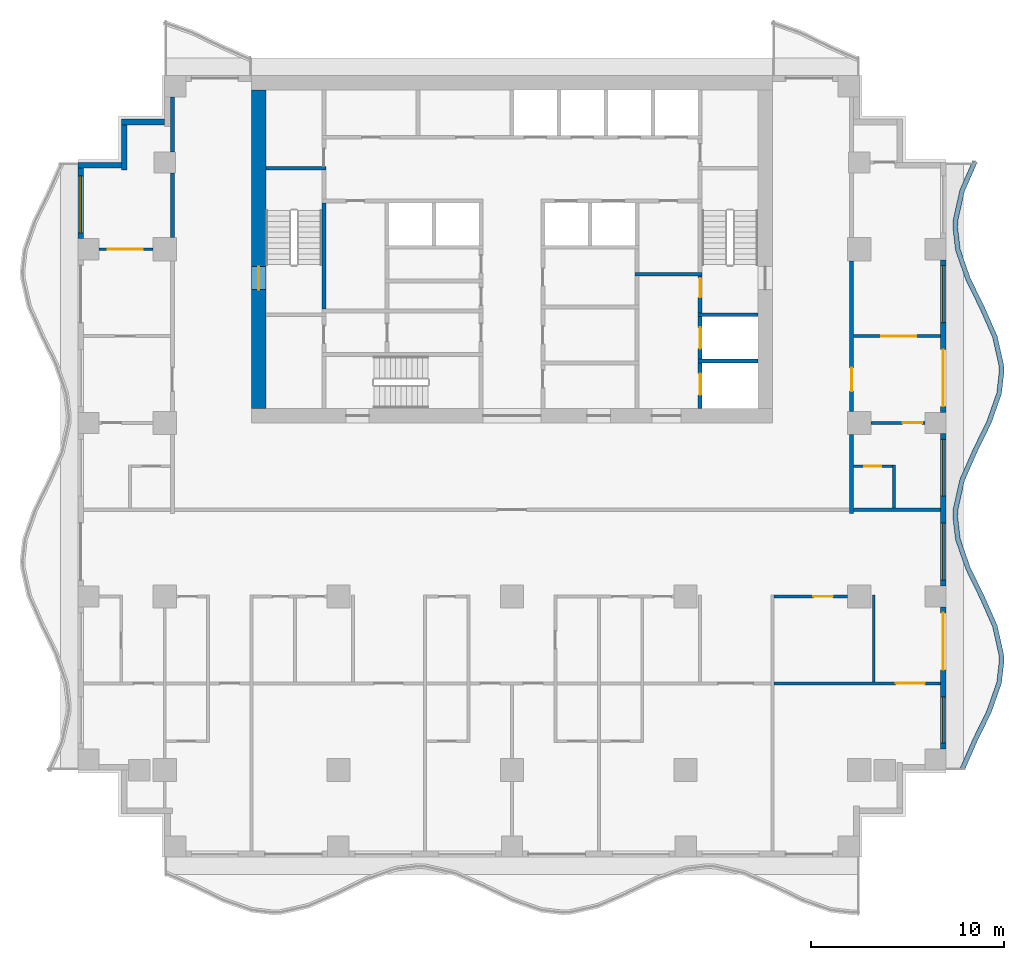
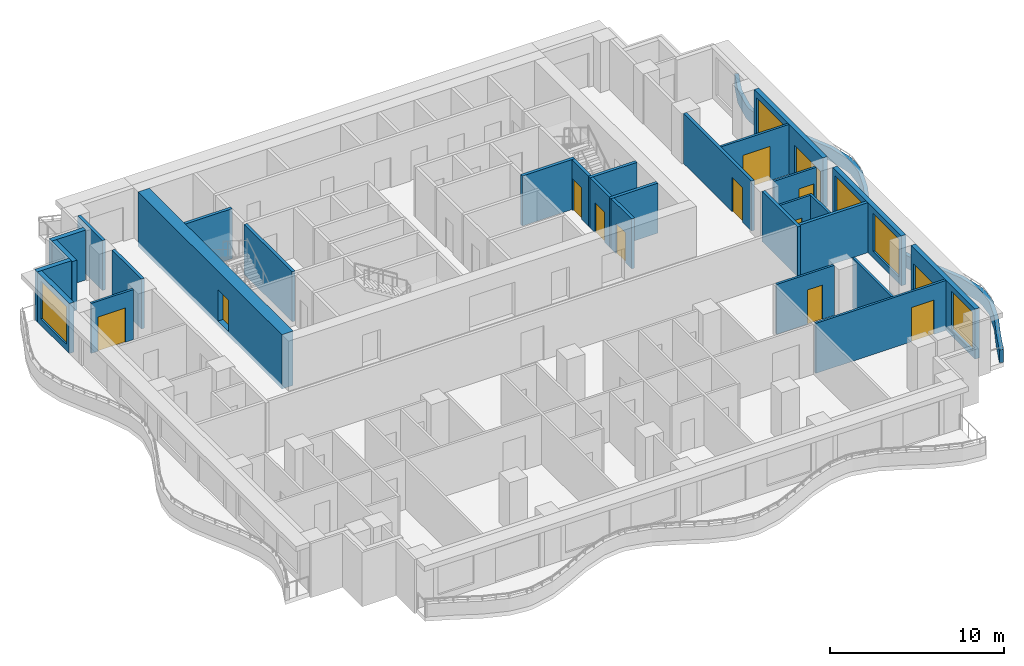
# One storey, part 4 of 10: 30 walls, 13 doors, 5 windows, 18 openings.
"""IFC4 building model written with IfcOpenShell, lengths in metres."""

from ifc_helpers import new_model, si_unit, direction, frame, frame_2d, origin, place, context, subcontext, project, spatial, polyline, rectangle, outline, extrude, material, layer, layer_set, type_object, element, fill, save


model = new_model("IFC4")

# Units and contexts
model_context = context("Model", 3, precision=1e-05, world=origin(), true_north=direction((0.0, 1.0)))
body_context = subcontext(model_context, "Body", "Model", "MODEL_VIEW")
ifc_project = project(units=[si_unit("LENGTHUNIT", "METRE"), si_unit("AREAUNIT", "SQUARE_METRE"), si_unit("VOLUMEUNIT", "CUBIC_METRE"), si_unit("PLANEANGLEUNIT", "RADIAN"), si_unit("MASSUNIT", "GRAM", prefix="KILO")], contexts=[model_context])

# Site, building, storey
site_placement = place(None, origin())
site = spatial("IfcSite", under=ifc_project, at=site_placement, CompositionType="ELEMENT")
building_placement = place(site_placement, origin())
building = spatial("IfcBuilding", under=site, at=building_placement, Name="Orbiselva Terraces", CompositionType="ELEMENT")
storey_placement = place(building_placement, frame((0.0, 0.0, 170.6)))
storey = spatial("IfcBuildingStorey", under=building, at=storey_placement, Name="L43", CompositionType="ELEMENT", Elevation=170.6)

# Wall, opening, door
ifc_material_1 = material(Name="Concrete C80/95", Category="concrete")
ifc_layer_1 = layer(ifc_material_1, 0.75)
ifc_layer_set_1 = layer_set([ifc_layer_1], Name="Concrete C80/95")
wall_type_1 = type_object("IfcWallType", Name="CORE WALL 750", PredefinedType="SHEAR", material=ifc_layer_set_1)
wall_1_placement = place(storey_placement, frame((-13.125, 21.75, -0.3), z_axis=(0.0, 0.0, 1.0), x_axis=(0.0, -1.0, 0.0)))
wall_1 = element("IfcWall", 1, at=wall_1_placement, inside=storey, type_object=wall_type_1, Name="Core wall L43 west", PredefinedType="SHEAR", context=body_context, shape_type="SweptSolid", body=[
    extrude(rectangle(XDim=16.5, YDim=0.75, at=frame_2d((8.25, 0.0))), origin(), (0.0, 0.0, 1.0), 3.8),
])
opening_1_placement = place(wall_1_placement, frame((9.15, 0.0, 0.3)))
opening_1 = element("IfcOpeningElement", 2, at=opening_1_placement, cuts=wall_1, Name="Opening DS1200", PredefinedType="OPENING", context=body_context, shape_type="SweptSolid", body=[
    extrude(rectangle(XDim=1.2, YDim=2.2, at=frame_2d((0.6, 1.1))), frame((0.0, 0.385, 0.0), z_axis=(0.0, -1.0, 0.0), x_axis=(1.0, 0.0, 0.0)), (0.0, 0.0, 1.0), 0.77),
])
ifc_material_2 = material(Name="Steel fire door", Category="steel")
door_type_1 = type_object("IfcDoorType", Name="STAIR DOOR 1200", OperationType="NOTDEFINED", PredefinedType="DOOR", material=ifc_material_2)
door_1_placement = place(opening_1_placement, frame((1.2, 0.0, 0.0), z_axis=(0.0, 0.0, 1.0), x_axis=(-1.0, 0.0, 0.0)))
door_1 = element("IfcDoor", 3, at=door_1_placement, inside=storey, type_object=door_type_1, Name="L43 EXIT STAIR S1 door", OperationType="SINGLE_SWING_RIGHT", OverallHeight=2.2, OverallWidth=1.2, PredefinedType="DOOR", context=body_context, shape_type="SweptSolid", body=[
    extrude(rectangle(XDim=1.2, YDim=2.2, at=frame_2d((0.6, 1.1))), frame((0.0, 0.025, 0.0), z_axis=(0.0, -1.0, 0.0), x_axis=(1.0, 0.0, 0.0)), (0.0, 0.0, 1.0), 0.05),
])
fill(opening_1, door_1)

# Walls
ifc_material_3 = material(Name="Concrete C60/75", Category="concrete")
ifc_layer_2 = layer(ifc_material_3, 0.2)
ifc_layer_set_2 = layer_set([ifc_layer_2], Name="Concrete C60/75")
wall_type_2 = type_object("IfcWallType", Name="CORE-WALL-SHEAR-200", PredefinedType="SHEAR", material=ifc_layer_set_2)
wall_2_placement = place(storey_placement, frame((-12.75, 17.7, 0.0), z_axis=(0.0, 0.0, 1.0), x_axis=(1.0, 0.0, 0.0)))
element("IfcWall", 4, at=wall_2_placement, inside=storey, type_object=wall_type_2, Name="L43 core wall 02", PredefinedType="SHEAR", context=body_context, shape_type="SweptSolid", body=[
    extrude(rectangle(XDim=3.1, YDim=0.2, at=frame_2d((1.55, 0.0))), origin(), (0.0, 0.0, 1.0), 3.5),
])
wall_3_placement = place(storey_placement, frame((-9.75, 10.4, 0.0), z_axis=(0.0, 0.0, 1.0), x_axis=(0.0, 1.0, 0.0)))
element("IfcWall", 5, at=wall_3_placement, inside=storey, type_object=wall_type_2, Name="L43 core wall 07", PredefinedType="SHEAR", context=body_context, shape_type="SweptSolid", body=[
    extrude(rectangle(XDim=5.5, YDim=0.2, at=frame_2d((2.75, 0.0))), origin(), (0.0, 0.0, 1.0), 3.5),
])
wall_4_placement = place(storey_placement, frame((6.375, 12.2, 0.0), z_axis=(0.0, 0.0, 1.0), x_axis=(1.0, 0.0, 0.0)))
element("IfcWall", 6, at=wall_4_placement, inside=storey, type_object=wall_type_2, Name="L43 core wall 41", PredefinedType="SHEAR", context=body_context, shape_type="SweptSolid", body=[
    extrude(rectangle(XDim=3.475, YDim=0.2, at=frame_2d((1.7375, 0.0))), origin(), (0.0, 0.0, 1.0), 3.5),
])

# Wall, opening, door
wall_5_placement = place(storey_placement, frame((9.75, 5.25, 0.0), z_axis=(0.0, 0.0, 1.0), x_axis=(0.0, 1.0, 0.0)))
wall_5 = element("IfcWall", 7, at=wall_5_placement, inside=storey, type_object=wall_type_2, Name="L43 core wall 45", PredefinedType="SHEAR", context=body_context, shape_type="SweptSolid", body=[
    extrude(rectangle(XDim=2.35, YDim=0.2, at=frame_2d((1.175, 0.0))), origin(), (0.0, 0.0, 1.0), 3.5),
])
opening_2_placement = place(wall_5_placement, frame((0.7, 0.0, 0.0)))
opening_2 = element("IfcOpeningElement", 8, at=opening_2_placement, cuts=wall_5, Name="Opening LD-FF1", PredefinedType="OPENING", context=body_context, shape_type="SweptSolid", body=[
    extrude(rectangle(XDim=1.1, YDim=2.1, at=frame_2d((0.55, 1.05))), frame((0.0, 0.11, 0.0), z_axis=(0.0, -1.0, 0.0), x_axis=(1.0, 0.0, 0.0)), (0.0, 0.0, 1.0), 0.22),
])
ifc_material_4 = material(Name="Stainless steel landing door", Category="steel")
door_type_2 = type_object("IfcDoorType", Name="LANDING DOOR 1100", OperationType="SLIDING_TO_LEFT", PredefinedType="DOOR", material=ifc_material_4)
door_2_placement = place(opening_2_placement, origin())
door_2 = element("IfcDoor", 9, at=door_2_placement, inside=storey, type_object=door_type_2, Name="L43 landing door FF1", OperationType="SLIDING_TO_RIGHT", OverallHeight=2.1, OverallWidth=1.1, PredefinedType="DOOR", context=body_context, shape_type="SweptSolid", body=[
    extrude(rectangle(XDim=1.1, YDim=2.1, at=frame_2d((0.55, 1.05))), frame((0.0, 0.025, 0.0), z_axis=(0.0, -1.0, 0.0), x_axis=(1.0, 0.0, 0.0)), (0.0, 0.0, 1.0), 0.05),
])
fill(opening_2, door_2)

# Wall
wall_6_placement = place(storey_placement, frame((9.65, 7.7, 0.0), z_axis=(0.0, 0.0, 1.0), x_axis=(1.0, 0.0, 0.0)))
element("IfcWall", 10, at=wall_6_placement, inside=storey, type_object=wall_type_2, Name="L43 core wall 46", PredefinedType="SHEAR", context=body_context, shape_type="SweptSolid", body=[
    extrude(rectangle(XDim=3.1, YDim=0.2, at=frame_2d((1.55, 0.0))), origin(), (0.0, 0.0, 1.0), 3.5),
])

# Wall, opening, door
wall_7_placement = place(storey_placement, frame((9.75, 7.8, 0.0), z_axis=(0.0, 0.0, 1.0), x_axis=(0.0, 1.0, 0.0)))
wall_7 = element("IfcWall", 11, at=wall_7_placement, inside=storey, type_object=wall_type_2, Name="L43 core wall 47", PredefinedType="SHEAR", context=body_context, shape_type="SweptSolid", body=[
    extrude(rectangle(XDim=2.2, YDim=0.2, at=frame_2d((1.1, 0.0))), origin(), (0.0, 0.0, 1.0), 3.5),
])
opening_3_placement = place(wall_7_placement, frame((0.55, 0.0, 0.0)))
opening_3 = element("IfcOpeningElement", 12, at=opening_3_placement, cuts=wall_7, Name="Opening LD-FF2", PredefinedType="OPENING", context=body_context, shape_type="SweptSolid", body=[
    extrude(rectangle(XDim=1.1, YDim=2.1, at=frame_2d((0.55, 1.05))), frame((0.0, 0.11, 0.0), z_axis=(0.0, -1.0, 0.0), x_axis=(1.0, 0.0, 0.0)), (0.0, 0.0, 1.0), 0.22),
])
door_3_placement = place(opening_3_placement, origin())
door_3 = element("IfcDoor", 13, at=door_3_placement, inside=storey, type_object=door_type_2, Name="L43 landing door FF2", OperationType="SLIDING_TO_RIGHT", OverallHeight=2.1, OverallWidth=1.1, PredefinedType="DOOR", context=body_context, shape_type="SweptSolid", body=[
    extrude(rectangle(XDim=1.1, YDim=2.1, at=frame_2d((0.55, 1.05))), frame((0.0, 0.025, 0.0), z_axis=(0.0, -1.0, 0.0), x_axis=(1.0, 0.0, 0.0)), (0.0, 0.0, 1.0), 0.05),
])
fill(opening_3, door_3)

# Wall
wall_8_placement = place(storey_placement, frame((9.65, 10.1, 0.0), z_axis=(0.0, 0.0, 1.0), x_axis=(1.0, 0.0, 0.0)))
element("IfcWall", 14, at=wall_8_placement, inside=storey, type_object=wall_type_2, Name="L43 core wall 48", PredefinedType="SHEAR", context=body_context, shape_type="SweptSolid", body=[
    extrude(rectangle(XDim=3.1, YDim=0.2, at=frame_2d((1.55, 0.0))), origin(), (0.0, 0.0, 1.0), 3.5),
])

# Wall, opening, door
wall_9_placement = place(storey_placement, frame((9.75, 12.1, 0.0), z_axis=(0.0, 0.0, 1.0), x_axis=(0.0, -1.0, 0.0)))
wall_9 = element("IfcWall", 15, at=wall_9_placement, inside=storey, type_object=wall_type_2, Name="L43 core wall 49", PredefinedType="SHEAR", context=body_context, shape_type="SweptSolid", body=[
    extrude(rectangle(XDim=1.9, YDim=0.2, at=frame_2d((0.95, 0.0))), origin(), (0.0, 0.0, 1.0), 3.5),
])
opening_4_placement = place(wall_9_placement, frame((0.1, 0.0, 0.0)))
opening_4 = element("IfcOpeningElement", 16, at=opening_4_placement, cuts=wall_9, Name="Opening DS1000", PredefinedType="OPENING", context=body_context, shape_type="SweptSolid", body=[
    extrude(rectangle(XDim=1.0, YDim=2.2, at=frame_2d((0.5, 1.1))), frame((0.0, 0.11, 0.0), z_axis=(0.0, -1.0, 0.0), x_axis=(1.0, 0.0, 0.0)), (0.0, 0.0, 1.0), 0.22),
])
door_type_3 = type_object("IfcDoorType", Name="STAIR DOOR 1000", OperationType="NOTDEFINED", PredefinedType="DOOR", material=ifc_material_2)
door_4_placement = place(opening_4_placement, origin())
door_4 = element("IfcDoor", 17, at=door_4_placement, inside=storey, type_object=door_type_3, Name="L43 FIRE-FIGHTING LOBBY TO EXIT STAIR S2 door", OperationType="SINGLE_SWING_LEFT", OverallHeight=2.2, OverallWidth=1.0, PredefinedType="DOOR", context=body_context, shape_type="SweptSolid", body=[
    extrude(rectangle(XDim=1.0, YDim=2.2, at=frame_2d((0.5, 1.1))), frame((0.0, 0.025, 0.0), z_axis=(0.0, -1.0, 0.0), x_axis=(1.0, 0.0, 0.0)), (0.0, 0.0, 1.0), 0.05),
])
fill(opening_4, door_4)

# Wall
ifc_material_5 = material(Name="Concrete C40/50", Category="concrete")
ifc_layer_3 = layer(ifc_material_5, 0.25)
ifc_layer_set_3 = layer_set([ifc_layer_3], Name="Concrete C40/50")
wall_type_3 = type_object("IfcWallType", Name="ENV-PLANTER-250x900", PredefinedType="USERDEFINED", material=ifc_layer_set_3)
wall_10_placement = place(storey_placement, origin())
element("IfcWall", 18, at=wall_10_placement, inside=storey, type_object=wall_type_3, Name="Balcony planter L43 E", ObjectType="PLANTER", PredefinedType="USERDEFINED", context=body_context, shape_type="SweptSolid", body=[
    extrude(outline(polyline([(23.451472, -13.5), (24.112279, -12.0), (24.844789, -10.5), (25.369208, -9.0), (25.5, -7.875), (25.485226, -7.5), (25.148528, -6.0), (24.487721, -4.5), (23.755211, -3.0), (23.230792, -1.5), (23.1, -0.375), (23.114774, 0.0), (23.451472, 1.5), (24.112279, 3.0), (24.844789, 4.5), (25.369208, 6.0), (25.5, 7.125), (25.485226, 7.5), (25.148528, 9.0), (24.487721, 10.5), (23.755211, 12.0), (23.230792, 13.5), (23.1, 14.625), (23.114774, 15.0), (23.451472, 16.5), (24.112279, 18.0), (23.883496, 18.100788), (23.212874, 16.578508), (22.865863, 15.032565), (22.849429, 14.615428), (22.985662, 13.443629), (23.524089, 11.90356), (24.260919, 10.394714), (24.90993, 8.921492), (25.236315, 7.467435), (25.249429, 7.134572), (25.124078, 6.056371), (24.613667, 4.59644), (23.885477, 3.105286), (23.212874, 1.578508), (22.865863, 0.032565), (22.849429, -0.384572), (22.985662, -1.556371), (23.524089, -3.09644), (24.260919, -4.605286), (24.90993, -6.078508), (25.236315, -7.532565), (25.249429, -7.865428), (25.124078, -8.943629), (24.613667, -10.40356), (23.885477, -11.894714), (23.222689, -13.399212), (23.451472, -13.5)])), origin(), (0.0, 0.0, 1.0), 0.9),
])

# Wall, openings, door, window
ifc_material_6 = material(Name="Terracotta cladding on masonry backing", Category="masonry")
ifc_layer_4 = layer(ifc_material_6, 0.3)
ifc_layer_set_4 = layer_set([ifc_layer_4], Name="Terracotta cladding on masonry backing")
wall_type_4 = type_object("IfcWallType", Name="ENV-WALL-TERRACOTTA-300", PredefinedType="SOLIDWALL", material=ifc_layer_set_4)
wall_11_placement = place(storey_placement, frame((22.35, -5.05, 0.0), z_axis=(0.0, 0.0, 1.0), x_axis=(0.0, -1.0, 0.0)))
wall_11 = element("IfcWall", 19, at=wall_11_placement, inside=storey, type_object=wall_type_4, Name="Facade wall L43 E", PredefinedType="SOLIDWALL", context=body_context, shape_type="SweptSolid", body=[
    extrude(rectangle(XDim=7.35, YDim=0.3, at=frame_2d((3.675, 0.0))), origin(), (0.0, 0.0, 1.0), 3.5),
])
opening_5_placement = place(wall_11_placement, frame((4.65, 0.0, 0.45)))
opening_5 = element("IfcOpeningElement", 20, at=opening_5_placement, cuts=wall_11, Name="Opening WN11", PredefinedType="OPENING", context=body_context, shape_type="SweptSolid", body=[
    extrude(rectangle(XDim=2.4, YDim=2.65, at=frame_2d((1.2, 1.325))), frame((0.0, 0.16, 0.0), z_axis=(0.0, -1.0, 0.0), x_axis=(1.0, 0.0, 0.0)), (0.0, 0.0, 1.0), 0.32),
])
opening_6_placement = place(wall_11_placement, frame((0.3, 0.0, 0.0)))
opening_6 = element("IfcOpeningElement", 21, at=opening_6_placement, cuts=wall_11, Name="Opening Z3-E-E04", PredefinedType="OPENING", context=body_context, shape_type="SweptSolid", body=[
    extrude(rectangle(XDim=2.95, YDim=2.4, at=frame_2d((1.475, 1.2))), frame((0.0, 0.16, 0.0), z_axis=(0.0, -1.0, 0.0), x_axis=(1.0, 0.0, 0.0)), (0.0, 0.0, 1.0), 0.32),
])
ifc_material_7 = material(Name="Clear low-e glazing in aluminium frame", Category="aluminium")
door_type_4 = type_object("IfcDoorType", Name="BALCONY DOOR 2950 X 2400", OperationType="DOUBLE_DOOR_SLIDING", PredefinedType="DOOR", material=ifc_material_7)
door_5_placement = place(opening_6_placement, origin())
door_5 = element("IfcDoor", 22, at=door_5_placement, inside=storey, type_object=door_type_4, Name="Z3-E-E04", OperationType="SINGLE_SWING_LEFT", OverallHeight=2.4, OverallWidth=2.95, PredefinedType="DOOR", context=body_context, shape_type="SweptSolid", body=[
    extrude(rectangle(XDim=2.95, YDim=2.4, at=frame_2d((1.475, 1.2))), frame((0.0, 0.025, 0.0), z_axis=(0.0, -1.0, 0.0), x_axis=(1.0, 0.0, 0.0)), (0.0, 0.0, 1.0), 0.05),
])
fill(opening_6, door_5)
window_type_1 = type_object("IfcWindowType", Name="WINDOW 2400 X 2650 S450", PartitioningType="TRIPLE_PANEL_VERTICAL", PredefinedType="WINDOW", material=ifc_material_7)
window_1_placement = place(opening_5_placement, origin())
window_1 = element("IfcWindow", 23, at=window_1_placement, inside=storey, type_object=window_type_1, Name="Window L43 E", OverallHeight=2.65, OverallWidth=2.4, PartitioningType="SINGLE_PANEL", PredefinedType="WINDOW", context=body_context, shape_type="SweptSolid", body=[
    extrude(rectangle(XDim=2.4, YDim=2.65, at=frame_2d((1.2, 1.325))), frame((0.0, 0.03, 0.0), z_axis=(0.0, -1.0, 0.0), x_axis=(1.0, 0.0, 0.0)), (0.0, 0.0, 1.0), 0.06),
])
fill(opening_5, window_1)

# Wall, openings, windows
wall_12_placement = place(storey_placement, frame((22.35, 3.95, 0.0), z_axis=(0.0, 0.0, 1.0), x_axis=(0.0, -1.0, 0.0)))
wall_12 = element("IfcWall", 24, at=wall_12_placement, inside=storey, type_object=wall_type_4, Name="Facade wall L43 E", PredefinedType="SOLIDWALL", context=body_context, shape_type="SweptSolid", body=[
    extrude(rectangle(XDim=7.9, YDim=0.3, at=frame_2d((3.95, 0.0))), origin(), (0.0, 0.0, 1.0), 3.5),
])
opening_7_placement = place(wall_12_placement, frame((4.65, 0.0, 0.45)))
opening_7 = element("IfcOpeningElement", 25, at=opening_7_placement, cuts=wall_12, Name="Opening WN12", PredefinedType="OPENING", context=body_context, shape_type="SweptSolid", body=[
    extrude(rectangle(XDim=2.95, YDim=2.65, at=frame_2d((1.475, 1.325))), frame((0.0, 0.16, 0.0), z_axis=(0.0, -1.0, 0.0), x_axis=(1.0, 0.0, 0.0)), (0.0, 0.0, 1.0), 0.32),
])
opening_8_placement = place(wall_12_placement, frame((0.3, 0.0, 0.45)))
opening_8 = element("IfcOpeningElement", 26, at=opening_8_placement, cuts=wall_12, Name="Opening WN12", PredefinedType="OPENING", context=body_context, shape_type="SweptSolid", body=[
    extrude(rectangle(XDim=2.95, YDim=2.65, at=frame_2d((1.475, 1.325))), frame((0.0, 0.16, 0.0), z_axis=(0.0, -1.0, 0.0), x_axis=(1.0, 0.0, 0.0)), (0.0, 0.0, 1.0), 0.32),
])
window_type_2 = type_object("IfcWindowType", Name="WINDOW 2950 X 2650 S450", PartitioningType="TRIPLE_PANEL_VERTICAL", PredefinedType="WINDOW", material=ifc_material_7)
window_2_placement = place(opening_7_placement, origin())
window_2 = element("IfcWindow", 27, at=window_2_placement, inside=storey, type_object=window_type_2, Name="Window L43 E", OverallHeight=2.65, OverallWidth=2.95, PartitioningType="SINGLE_PANEL", PredefinedType="WINDOW", context=body_context, shape_type="SweptSolid", body=[
    extrude(rectangle(XDim=2.95, YDim=2.65, at=frame_2d((1.475, 1.325))), frame((0.0, 0.03, 0.0), z_axis=(0.0, -1.0, 0.0), x_axis=(1.0, 0.0, 0.0)), (0.0, 0.0, 1.0), 0.06),
])
fill(opening_7, window_2)
window_3_placement = place(opening_8_placement, origin())
window_3 = element("IfcWindow", 28, at=window_3_placement, inside=storey, type_object=window_type_2, Name="Window L43 E", OverallHeight=2.65, OverallWidth=2.95, PartitioningType="SINGLE_PANEL", PredefinedType="WINDOW", context=body_context, shape_type="SweptSolid", body=[
    extrude(rectangle(XDim=2.95, YDim=2.65, at=frame_2d((1.475, 1.325))), frame((0.0, 0.03, 0.0), z_axis=(0.0, -1.0, 0.0), x_axis=(1.0, 0.0, 0.0)), (0.0, 0.0, 1.0), 0.06),
])
fill(opening_8, window_3)

# Wall, openings, door, window
wall_13_placement = place(storey_placement, frame((22.35, 12.95, 0.0), z_axis=(0.0, 0.0, 1.0), x_axis=(0.0, -1.0, 0.0)))
wall_13 = element("IfcWall", 29, at=wall_13_placement, inside=storey, type_object=wall_type_4, Name="Facade wall L43 E", PredefinedType="SOLIDWALL", context=body_context, shape_type="SweptSolid", body=[
    extrude(rectangle(XDim=7.9, YDim=0.3, at=frame_2d((3.95, 0.0))), origin(), (0.0, 0.0, 1.0), 3.5),
])
opening_9_placement = place(wall_13_placement, frame((4.65, 0.0, 0.0)))
opening_9 = element("IfcOpeningElement", 30, at=opening_9_placement, cuts=wall_13, Name="Opening Z3-E-E05", PredefinedType="OPENING", context=body_context, shape_type="SweptSolid", body=[
    extrude(rectangle(XDim=2.95, YDim=2.4, at=frame_2d((1.475, 1.2))), frame((0.0, 0.16, 0.0), z_axis=(0.0, -1.0, 0.0), x_axis=(1.0, 0.0, 0.0)), (0.0, 0.0, 1.0), 0.32),
])
opening_10_placement = place(wall_13_placement, frame((0.3, 0.0, 0.45)))
opening_10 = element("IfcOpeningElement", 31, at=opening_10_placement, cuts=wall_13, Name="Opening WN12", PredefinedType="OPENING", context=body_context, shape_type="SweptSolid", body=[
    extrude(rectangle(XDim=2.95, YDim=2.65, at=frame_2d((1.475, 1.325))), frame((0.0, 0.16, 0.0), z_axis=(0.0, -1.0, 0.0), x_axis=(1.0, 0.0, 0.0)), (0.0, 0.0, 1.0), 0.32),
])
door_6_placement = place(opening_9_placement, origin())
door_6 = element("IfcDoor", 32, at=door_6_placement, inside=storey, type_object=door_type_4, Name="Z3-E-E05", OperationType="SINGLE_SWING_LEFT", OverallHeight=2.4, OverallWidth=2.95, PredefinedType="DOOR", context=body_context, shape_type="SweptSolid", body=[
    extrude(rectangle(XDim=2.95, YDim=2.4, at=frame_2d((1.475, 1.2))), frame((0.0, 0.025, 0.0), z_axis=(0.0, -1.0, 0.0), x_axis=(1.0, 0.0, 0.0)), (0.0, 0.0, 1.0), 0.05),
])
fill(opening_9, door_6)
window_4_placement = place(opening_10_placement, origin())
window_4 = element("IfcWindow", 33, at=window_4_placement, inside=storey, type_object=window_type_2, Name="Window L43 E", OverallHeight=2.65, OverallWidth=2.95, PartitioningType="SINGLE_PANEL", PredefinedType="WINDOW", context=body_context, shape_type="SweptSolid", body=[
    extrude(rectangle(XDim=2.95, YDim=2.65, at=frame_2d((1.475, 1.325))), frame((0.0, 0.03, 0.0), z_axis=(0.0, -1.0, 0.0), x_axis=(1.0, 0.0, 0.0)), (0.0, 0.0, 1.0), 0.06),
])
fill(opening_10, window_4)

# Walls
wall_14_placement = place(storey_placement, frame((-20.25, 20.1, 0.0), z_axis=(0.0, 0.0, 1.0), x_axis=(1.0, 0.0, 0.0)))
element("IfcWall", 34, at=wall_14_placement, inside=storey, type_object=wall_type_4, Name="Facade wall L43 STEP", PredefinedType="SOLIDWALL", context=body_context, shape_type="SweptSolid", body=[
    extrude(rectangle(XDim=2.25, YDim=0.3, at=frame_2d((1.125, 0.0))), origin(), (0.0, 0.0, 1.0), 3.5),
])
wall_15_placement = place(storey_placement, frame((-20.1, 17.6, 0.0), z_axis=(0.0, 0.0, 1.0), x_axis=(0.0, 1.0, 0.0)))
element("IfcWall", 35, at=wall_15_placement, inside=storey, type_object=wall_type_4, Name="Facade wall L43 STEP", PredefinedType="SOLIDWALL", context=body_context, shape_type="SweptSolid", body=[
    extrude(rectangle(XDim=2.35, YDim=0.3, at=frame_2d((1.175, 0.0))), origin(), (0.0, 0.0, 1.0), 3.5),
])
wall_16_placement = place(storey_placement, frame((-22.5, 17.85, 0.0), z_axis=(0.0, 0.0, 1.0), x_axis=(1.0, 0.0, 0.0)))
element("IfcWall", 36, at=wall_16_placement, inside=storey, type_object=wall_type_4, Name="Facade wall L43 STEP", PredefinedType="SOLIDWALL", context=body_context, shape_type="SweptSolid", body=[
    extrude(rectangle(XDim=2.25, YDim=0.3, at=frame_2d((1.125, 0.0))), origin(), (0.0, 0.0, 1.0), 3.5),
])

# Wall, opening, window
wall_17_placement = place(storey_placement, frame((-22.35, 14.05, 0.0), z_axis=(0.0, 0.0, 1.0), x_axis=(0.0, 1.0, 0.0)))
wall_17 = element("IfcWall", 37, at=wall_17_placement, inside=storey, type_object=wall_type_4, Name="Facade wall L43 W", PredefinedType="SOLIDWALL", context=body_context, shape_type="SweptSolid", body=[
    extrude(rectangle(XDim=3.65, YDim=0.3, at=frame_2d((1.825, 0.0))), origin(), (0.0, 0.0, 1.0), 3.5),
])
opening_11_placement = place(wall_17_placement, frame((0.3, 0.0, 0.45)))
opening_11 = element("IfcOpeningElement", 38, at=opening_11_placement, cuts=wall_17, Name="Opening WN12", PredefinedType="OPENING", context=body_context, shape_type="SweptSolid", body=[
    extrude(rectangle(XDim=2.95, YDim=2.65, at=frame_2d((1.475, 1.325))), frame((0.0, 0.16, 0.0), z_axis=(0.0, -1.0, 0.0), x_axis=(1.0, 0.0, 0.0)), (0.0, 0.0, 1.0), 0.32),
])
window_5_placement = place(opening_11_placement, origin())
window_5 = element("IfcWindow", 39, at=window_5_placement, inside=storey, type_object=window_type_2, Name="Window L43 W", OverallHeight=2.65, OverallWidth=2.95, PartitioningType="SINGLE_PANEL", PredefinedType="WINDOW", context=body_context, shape_type="SweptSolid", body=[
    extrude(rectangle(XDim=2.95, YDim=2.65, at=frame_2d((1.475, 1.325))), frame((0.0, 0.03, 0.0), z_axis=(0.0, -1.0, 0.0), x_axis=(1.0, 0.0, 0.0)), (0.0, 0.0, 1.0), 0.06),
])
fill(opening_11, window_5)

# Walls
ifc_material_8 = material(Name="Plasterboard on steel stud partition", Category="steel")
ifc_layer_5 = layer(ifc_material_8, 0.2)
ifc_layer_set_5 = layer_set([ifc_layer_5], Name="Plasterboard on steel stud partition")
wall_type_5 = type_object("IfcWallType", Name="UNIT-ENTRANCE-WALL-200", PredefinedType="PARTITIONING", material=ifc_layer_set_5)
wall_18_placement = place(storey_placement, frame((-17.6, 14.1, 0.0), z_axis=(0.0, 0.0, 1.0), x_axis=(0.0, 1.0, 0.0)))
element("IfcWall", 40, at=wall_18_placement, inside=storey, type_object=wall_type_5, Name="PARTITION L43-038", PredefinedType="PARTITIONING", context=body_context, shape_type="SweptSolid", body=[
    extrude(rectangle(XDim=3.35, YDim=0.2, at=frame_2d((1.675, 0.0))), origin(), (0.0, 0.0, 1.0), 3.5),
])
wall_19_placement = place(storey_placement, frame((-17.6, 18.55, 0.0), z_axis=(0.0, 0.0, 1.0), x_axis=(0.0, 1.0, 0.0)))
element("IfcWall", 41, at=wall_19_placement, inside=storey, type_object=wall_type_5, Name="PARTITION L43-039", PredefinedType="PARTITIONING", context=body_context, shape_type="SweptSolid", body=[
    extrude(rectangle(XDim=2.85, YDim=0.2, at=frame_2d((1.425, 0.0))), origin(), (0.0, 0.0, 1.0), 3.5),
])
wall_20_placement = place(storey_placement, frame((17.6, -0.2, 0.0), z_axis=(0.0, 0.0, 1.0), x_axis=(0.0, 1.0, 0.0)))
element("IfcWall", 42, at=wall_20_placement, inside=storey, type_object=wall_type_5, Name="PARTITION L43-053", PredefinedType="PARTITIONING", context=body_context, shape_type="SweptSolid", body=[
    extrude(rectangle(XDim=4.1, YDim=0.2, at=frame_2d((2.05, 0.0))), origin(), (0.0, 0.0, 1.0), 3.5),
])

# Wall, opening, door
wall_21_placement = place(storey_placement, frame((17.6, 12.9, 0.0), z_axis=(0.0, 0.0, 1.0), x_axis=(0.0, -1.0, 0.0)))
wall_21 = element("IfcWall", 43, at=wall_21_placement, inside=storey, type_object=wall_type_5, Name="PARTITION L43-054", PredefinedType="PARTITIONING", context=body_context, shape_type="SweptSolid", body=[
    extrude(rectangle(XDim=7.8, YDim=0.2, at=frame_2d((3.9, 0.0))), origin(), (0.0, 0.0, 1.0), 3.5),
])
opening_12_placement = place(wall_21_placement, frame((5.55, 0.0, 0.0)))
opening_12 = element("IfcOpeningElement", 44, at=opening_12_placement, cuts=wall_21, Name="Opening Z3-E-08", PredefinedType="OPENING", context=body_context, shape_type="SweptSolid", body=[
    extrude(rectangle(XDim=1.2, YDim=2.4, at=frame_2d((0.6, 1.2))), frame((0.0, 0.11, 0.0), z_axis=(0.0, -1.0, 0.0), x_axis=(1.0, 0.0, 0.0)), (0.0, 0.0, 1.0), 0.22),
])
ifc_material_9 = material(Name="Painted timber door leaf", Category="wood")
door_type_5 = type_object("IfcDoorType", Name="ENTRANCE DOOR 1200", OperationType="NOTDEFINED", PredefinedType="DOOR", material=ifc_material_9)
door_7_placement = place(opening_12_placement, origin())
door_7 = element("IfcDoor", 45, at=door_7_placement, inside=storey, type_object=door_type_5, Name="Z3-E-08", OperationType="SINGLE_SWING_RIGHT", OverallHeight=2.4, OverallWidth=1.2, PredefinedType="DOOR", context=body_context, shape_type="SweptSolid", body=[
    extrude(rectangle(XDim=1.2, YDim=2.4, at=frame_2d((0.6, 1.2))), frame((0.0, 0.025, 0.0), z_axis=(0.0, -1.0, 0.0), x_axis=(1.0, 0.0, 0.0)), (0.0, 0.0, 1.0), 0.05),
])
fill(opening_12, door_7)

ifc_layer_6 = layer(ifc_material_8, 0.15)
ifc_layer_set_6 = layer_set([ifc_layer_6], Name="Plasterboard on steel stud partition")
wall_type_6 = type_object("IfcWallType", Name="UNIT-PARTITION-150", PredefinedType="PARTITIONING", material=ifc_layer_set_6)
wall_22_placement = place(storey_placement, frame((22.2, -9.0, 0.0), z_axis=(0.0, 0.0, 1.0), x_axis=(-1.0, 0.0, 0.0)))
wall_22 = element("IfcWall", 46, at=wall_22_placement, inside=storey, type_object=wall_type_6, Name="PARTITION L43-014", PredefinedType="PARTITIONING", context=body_context, shape_type="SweptSolid", body=[
    extrude(rectangle(XDim=8.625, YDim=0.15, at=frame_2d((4.3125, 0.0))), origin(), (0.0, 0.0, 1.0), 3.5),
])
opening_13_placement = place(wall_22_placement, frame((0.8, 0.0, 0.0)))
opening_13 = element("IfcOpeningElement", 47, at=opening_13_placement, cuts=wall_22, Name="Opening Z3-E-21", PredefinedType="OPENING", context=body_context, shape_type="SweptSolid", body=[
    extrude(rectangle(XDim=1.5, YDim=2.4, at=frame_2d((0.75, 1.2))), frame((0.0, 0.085, 0.0), z_axis=(0.0, -1.0, 0.0), x_axis=(1.0, 0.0, 0.0)), (0.0, 0.0, 1.0), 0.17),
])
door_type_6 = type_object("IfcDoorType", Name="DOUBLE DOOR 1500", OperationType="NOTDEFINED", PredefinedType="DOOR", material=ifc_material_9)
door_8_placement = place(opening_13_placement, origin())
door_8 = element("IfcDoor", 48, at=door_8_placement, inside=storey, type_object=door_type_6, Name="Z3-E-21", OperationType="DOUBLE_DOOR_SINGLE_SWING", OverallHeight=2.4, OverallWidth=1.5, PredefinedType="DOOR", context=body_context, shape_type="SweptSolid", body=[
    extrude(rectangle(XDim=1.5, YDim=2.4, at=frame_2d((0.75, 1.2))), frame((0.0, 0.025, 0.0), z_axis=(0.0, -1.0, 0.0), x_axis=(1.0, 0.0, 0.0)), (0.0, 0.0, 1.0), 0.05),
])
fill(opening_13, door_8)

wall_23_placement = place(storey_placement, frame((17.4, -4.5, 0.0), z_axis=(0.0, 0.0, 1.0), x_axis=(-1.0, 0.0, 0.0)))
wall_23 = element("IfcWall", 49, at=wall_23_placement, inside=storey, type_object=wall_type_6, Name="PARTITION L43-020", PredefinedType="PARTITIONING", context=body_context, shape_type="SweptSolid", body=[
    extrude(rectangle(XDim=3.825, YDim=0.15, at=frame_2d((1.9125, 0.0))), origin(), (0.0, 0.0, 1.0), 3.5),
])
opening_14_placement = place(wall_23_placement, frame((0.775, 0.0, 0.0)))
opening_14 = element("IfcOpeningElement", 50, at=opening_14_placement, cuts=wall_23, Name="Opening Z3-E-12", PredefinedType="OPENING", context=body_context, shape_type="SweptSolid", body=[
    extrude(rectangle(XDim=1.0, YDim=2.4, at=frame_2d((0.5, 1.2))), frame((0.0, 0.085, 0.0), z_axis=(0.0, -1.0, 0.0), x_axis=(1.0, 0.0, 0.0)), (0.0, 0.0, 1.0), 0.17),
])
door_type_7 = type_object("IfcDoorType", Name="ROOM DOOR 1000", OperationType="NOTDEFINED", PredefinedType="DOOR", material=ifc_material_9)
door_9_placement = place(opening_14_placement, origin())
door_9 = element("IfcDoor", 51, at=door_9_placement, inside=storey, type_object=door_type_7, Name="Z3-E-12", OperationType="SINGLE_SWING_LEFT", OverallHeight=2.4, OverallWidth=1.0, PredefinedType="DOOR", context=body_context, shape_type="SweptSolid", body=[
    extrude(rectangle(XDim=1.0, YDim=2.4, at=frame_2d((0.5, 1.2))), frame((0.0, 0.025, 0.0), z_axis=(0.0, -1.0, 0.0), x_axis=(1.0, 0.0, 0.0)), (0.0, 0.0, 1.0), 0.05),
])
fill(opening_14, door_9)

wall_24_placement = place(storey_placement, frame((19.73, 2.25, 0.0), z_axis=(0.0, 0.0, 1.0), x_axis=(-1.0, 0.0, 0.0)))
wall_24 = element("IfcWall", 52, at=wall_24_placement, inside=storey, type_object=wall_type_6, Name="PARTITION L43-025", PredefinedType="PARTITIONING", context=body_context, shape_type="SweptSolid", body=[
    extrude(rectangle(XDim=2.03, YDim=0.15, at=frame_2d((1.015, 0.0))), origin(), (0.0, 0.0, 1.0), 3.5),
])
opening_15_placement = place(wall_24_placement, frame((0.58, 0.0, 0.0)))
opening_15 = element("IfcOpeningElement", 53, at=opening_15_placement, cuts=wall_24, Name="Opening Z3-E-07", PredefinedType="OPENING", context=body_context, shape_type="SweptSolid", body=[
    extrude(rectangle(XDim=0.9, YDim=2.1, at=frame_2d((0.45, 1.05))), frame((0.0, 0.085, 0.0), z_axis=(0.0, -1.0, 0.0), x_axis=(1.0, 0.0, 0.0)), (0.0, 0.0, 1.0), 0.17),
])
door_type_8 = type_object("IfcDoorType", Name="BATH DOOR 900", OperationType="NOTDEFINED", PredefinedType="DOOR", material=ifc_material_9)
door_10_placement = place(opening_15_placement, origin())
door_10 = element("IfcDoor", 54, at=door_10_placement, inside=storey, type_object=door_type_8, Name="Z3-E-07", OperationType="SINGLE_SWING_RIGHT", OverallHeight=2.1, OverallWidth=0.9, PredefinedType="DOOR", context=body_context, shape_type="SweptSolid", body=[
    extrude(rectangle(XDim=0.9, YDim=2.1, at=frame_2d((0.45, 1.05))), frame((0.0, 0.025, 0.0), z_axis=(0.0, -1.0, 0.0), x_axis=(1.0, 0.0, 0.0)), (0.0, 0.0, 1.0), 0.05),
])
fill(opening_15, door_10)

wall_25_placement = place(storey_placement, frame((21.4, 4.5, 0.0), z_axis=(0.0, 0.0, 1.0), x_axis=(-1.0, 0.0, 0.0)))
wall_25 = element("IfcWall", 55, at=wall_25_placement, inside=storey, type_object=wall_type_6, Name="PARTITION L43-027", PredefinedType="PARTITIONING", context=body_context, shape_type="SweptSolid", body=[
    extrude(rectangle(XDim=2.8, YDim=0.15, at=frame_2d((1.4, 0.0))), origin(), (0.0, 0.0, 1.0), 3.5),
])
opening_16_placement = place(wall_25_placement, frame((0.15, 0.0, 0.0)))
opening_16 = element("IfcOpeningElement", 56, at=opening_16_placement, cuts=wall_25, Name="Opening Z3-E-06", PredefinedType="OPENING", context=body_context, shape_type="SweptSolid", body=[
    extrude(rectangle(XDim=1.0, YDim=2.4, at=frame_2d((0.5, 1.2))), frame((0.0, 0.085, 0.0), z_axis=(0.0, -1.0, 0.0), x_axis=(1.0, 0.0, 0.0)), (0.0, 0.0, 1.0), 0.17),
])
door_11_placement = place(opening_16_placement, origin())
door_11 = element("IfcDoor", 57, at=door_11_placement, inside=storey, type_object=door_type_7, Name="Z3-E-06", OperationType="SINGLE_SWING_LEFT", OverallHeight=2.4, OverallWidth=1.0, PredefinedType="DOOR", context=body_context, shape_type="SweptSolid", body=[
    extrude(rectangle(XDim=1.0, YDim=2.4, at=frame_2d((0.5, 1.2))), frame((0.0, 0.025, 0.0), z_axis=(0.0, -1.0, 0.0), x_axis=(1.0, 0.0, 0.0)), (0.0, 0.0, 1.0), 0.05),
])
fill(opening_16, door_11)

wall_26_placement = place(storey_placement, frame((17.7, 9.0, 0.0), z_axis=(0.0, 0.0, 1.0), x_axis=(1.0, 0.0, 0.0)))
wall_26 = element("IfcWall", 58, at=wall_26_placement, inside=storey, type_object=wall_type_6, Name="PARTITION L43-029", PredefinedType="PARTITIONING", context=body_context, shape_type="SweptSolid", body=[
    extrude(rectangle(XDim=4.5, YDim=0.15, at=frame_2d((2.25, 0.0))), origin(), (0.0, 0.0, 1.0), 3.5),
])
opening_17_placement = place(wall_26_placement, frame((1.45, 0.0, 0.0)))
opening_17 = element("IfcOpeningElement", 59, at=opening_17_placement, cuts=wall_26, Name="Opening Z3-E-09", PredefinedType="OPENING", context=body_context, shape_type="SweptSolid", body=[
    extrude(rectangle(XDim=1.8, YDim=2.4, at=frame_2d((0.9, 1.2))), frame((0.0, 0.085, 0.0), z_axis=(0.0, -1.0, 0.0), x_axis=(1.0, 0.0, 0.0)), (0.0, 0.0, 1.0), 0.17),
])
door_type_9 = type_object("IfcDoorType", Name="DOUBLE DOOR 1800", OperationType="NOTDEFINED", PredefinedType="DOOR", material=ifc_material_9)
door_12_placement = place(opening_17_placement, origin())
door_12 = element("IfcDoor", 60, at=door_12_placement, inside=storey, type_object=door_type_9, Name="Z3-E-09", OperationType="DOUBLE_DOOR_SINGLE_SWING", OverallHeight=2.4, OverallWidth=1.8, PredefinedType="DOOR", context=body_context, shape_type="SweptSolid", body=[
    extrude(rectangle(XDim=1.8, YDim=2.4, at=frame_2d((0.9, 1.2))), frame((0.0, 0.025, 0.0), z_axis=(0.0, -1.0, 0.0), x_axis=(1.0, 0.0, 0.0)), (0.0, 0.0, 1.0), 0.05),
])
fill(opening_17, door_12)

wall_27_placement = place(storey_placement, frame((-21.4, 13.5, 0.0), z_axis=(0.0, 0.0, 1.0), x_axis=(1.0, 0.0, 0.0)))
wall_27 = element("IfcWall", 61, at=wall_27_placement, inside=storey, type_object=wall_type_6, Name="PARTITION L43-030", PredefinedType="PARTITIONING", context=body_context, shape_type="SweptSolid", body=[
    extrude(rectangle(XDim=2.8, YDim=0.15, at=frame_2d((1.4, 0.0))), origin(), (0.0, 0.0, 1.0), 3.5),
])
opening_18_placement = place(wall_27_placement, frame((0.45, 0.0, 0.0)))
opening_18 = element("IfcOpeningElement", 62, at=opening_18_placement, cuts=wall_27, Name="Opening Z3-E-05", PredefinedType="OPENING", context=body_context, shape_type="SweptSolid", body=[
    extrude(rectangle(XDim=1.8, YDim=2.4, at=frame_2d((0.9, 1.2))), frame((0.0, 0.085, 0.0), z_axis=(0.0, -1.0, 0.0), x_axis=(1.0, 0.0, 0.0)), (0.0, 0.0, 1.0), 0.17),
])
door_13_placement = place(opening_18_placement, origin())
door_13 = element("IfcDoor", 63, at=door_13_placement, inside=storey, type_object=door_type_9, Name="Z3-E-05", OperationType="DOUBLE_DOOR_SINGLE_SWING", OverallHeight=2.4, OverallWidth=1.8, PredefinedType="DOOR", context=body_context, shape_type="SweptSolid", body=[
    extrude(rectangle(XDim=1.8, YDim=2.4, at=frame_2d((0.9, 1.2))), frame((0.0, 0.025, 0.0), z_axis=(0.0, -1.0, 0.0), x_axis=(1.0, 0.0, 0.0)), (0.0, 0.0, 1.0), 0.05),
])
fill(opening_18, door_13)

# Walls
wall_28_placement = place(storey_placement, frame((18.75, -8.925, 0.0), z_axis=(0.0, 0.0, 1.0), x_axis=(0.0, 1.0, 0.0)))
element("IfcWall", 64, at=wall_28_placement, inside=storey, type_object=wall_type_6, Name="PARTITION L43-057", PredefinedType="PARTITIONING", context=body_context, shape_type="SweptSolid", body=[
    extrude(rectangle(XDim=4.5, YDim=0.15, at=frame_2d((2.25, 0.0))), origin(), (0.0, 0.0, 1.0), 3.5),
])
wall_29_placement = place(storey_placement, frame((19.805, 0.1, 0.0), z_axis=(0.0, 0.0, 1.0), x_axis=(0.0, 1.0, 0.0)))
element("IfcWall", 65, at=wall_29_placement, inside=storey, type_object=wall_type_6, Name="PARTITION L43-058", PredefinedType="PARTITIONING", context=body_context, shape_type="SweptSolid", body=[
    extrude(rectangle(XDim=2.225, YDim=0.15, at=frame_2d((1.1125, 0.0))), origin(), (0.0, 0.0, 1.0), 3.5),
])
ifc_layer_7 = layer(ifc_material_8, 0.2)
ifc_layer_set_7 = layer_set([ifc_layer_7], Name="Plasterboard on steel stud partition")
wall_type_7 = type_object("IfcWallType", Name="UNIT-PARTY-WALL-200", PredefinedType="PARTITIONING", material=ifc_layer_set_7)
wall_30_placement = place(storey_placement, frame((17.7, 0.0, 0.0), z_axis=(0.0, 0.0, 1.0), x_axis=(1.0, 0.0, 0.0)))
element("IfcWall", 66, at=wall_30_placement, inside=storey, type_object=wall_type_7, Name="PARTITION L43-023", PredefinedType="PARTITIONING", context=body_context, shape_type="SweptSolid", body=[
    extrude(rectangle(XDim=4.5, YDim=0.2, at=frame_2d((2.25, 0.0))), origin(), (0.0, 0.0, 1.0), 3.5),
])

save(model, "model.ifc")
